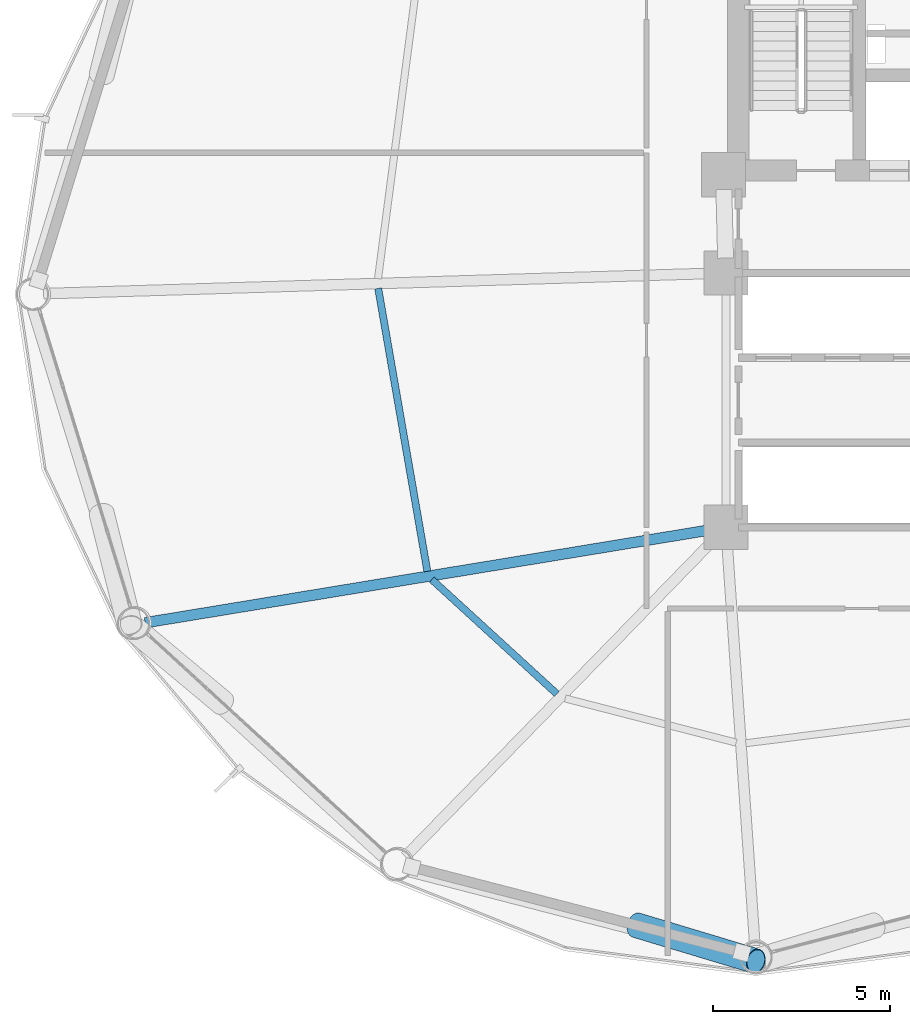
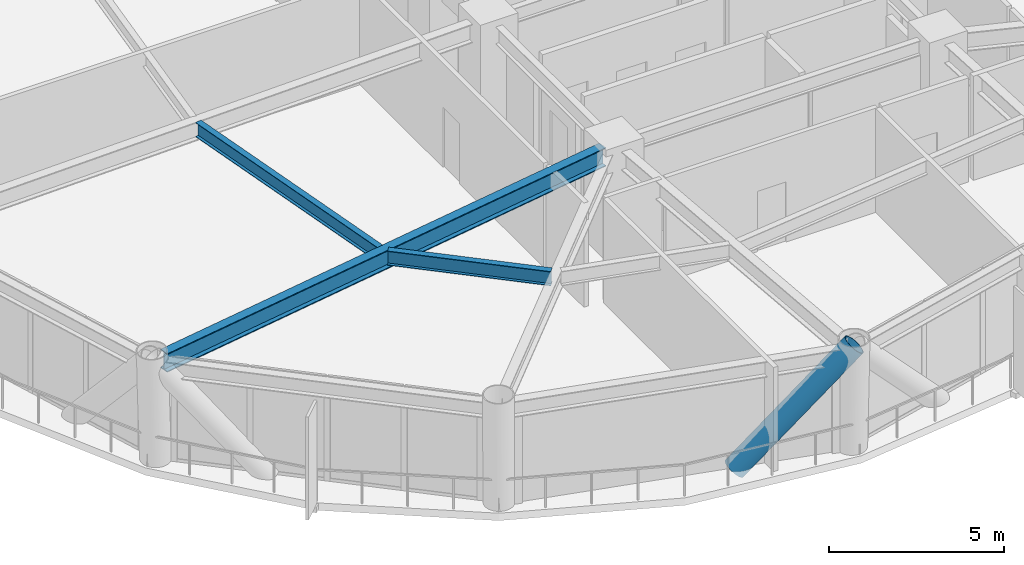
# One storey, part 6 of 25: 3 beams, 1 member.
"""IFC4 building model written with IfcOpenShell, lengths in metres."""

from ifc_helpers import new_model, si_unit, direction, frame, origin, origin_2d, place, context, subcontext, project, spatial, hollow_circle, i_section, extrude, material, material_profile, profile_set, type_object, element, save


model = new_model("IFC4")

# Units and contexts
model_context = context("Model", 3, precision=1e-05, world=origin(), true_north=direction((0.0, 1.0)))
body_context = subcontext(model_context, "Body", "Model", "MODEL_VIEW")
ifc_project = project(units=[si_unit("LENGTHUNIT", "METRE"), si_unit("AREAUNIT", "SQUARE_METRE"), si_unit("VOLUMEUNIT", "CUBIC_METRE"), si_unit("PLANEANGLEUNIT", "RADIAN"), si_unit("MASSUNIT", "GRAM", prefix="KILO")], contexts=[model_context])

# Site, building, storey
site_placement = place(None, origin())
site = spatial("IfcSite", under=ifc_project, at=site_placement, CompositionType="ELEMENT")
building_placement = place(site_placement, origin())
building = spatial("IfcBuilding", under=site, at=building_placement, Name="Varnakorn Sky Granary", CompositionType="ELEMENT")
storey_placement = place(building_placement, frame((0.0, 0.0, 35.39990234375)))
storey = spatial("IfcBuildingStorey", under=building, at=storey_placement, Name="L08", CompositionType="ELEMENT", Elevation=35.39990234375)

# Beams
ifc_material_1 = material(Name="Steel S355JR", Category="steel")
ifc_material_profile_1 = material_profile(ifc_material_1, i_section(OverallWidth=0.300048828125, OverallDepth=0.64990234375, WebThickness=0.01611328125, FlangeThickness=0.031005859375, at=origin_2d()), Name="HE 650 B")
ifc_profile_set_1 = profile_set([ifc_material_profile_1], Name="Steel S355JR")
beam_type_1 = type_object("IfcBeamType", Name="BM-RAD-Z1", PredefinedType="BEAM", material=ifc_profile_set_1)
beam_1_placement = place(storey_placement, frame((-2.764404296875, -6.668212890625, 3.315185546875), z_axis=(-0.986763507705, -0.162165902279, 0.0), x_axis=(0.162165902279, -0.986763507705, 0.0)))
element("IfcBeam", 1, at=beam_1_placement, inside=storey, type_object=beam_type_1, Name="Radial Floor Girder RG08 L08", PredefinedType="BEAM", context=body_context, shape_type="SweptSolid", body=[
    extrude(i_section(OverallWidth=0.300048828125, OverallDepth=0.64990234375, WebThickness=0.01611328125, FlangeThickness=0.031005859375, at=origin_2d()), origin(), (0.0, 0.0, 1.0), 16.242919921875),
])
ifc_material_profile_2 = material_profile(ifc_material_1, i_section(OverallWidth=0.199951171875, OverallDepth=0.5, WebThickness=0.01025390625, FlangeThickness=0.01611328125, at=origin_2d()), Name="IPE 500")
ifc_profile_set_2 = profile_set([ifc_material_profile_2], Name="Steel S355JR")
beam_type_2 = type_object("IfcBeamType", Name="BM-SEC-Z1", PredefinedType="BEAM", material=ifc_profile_set_2)
beam_2_placement = place(storey_placement, frame((-12.193115234375, 0.162353515625, 3.39013671875), z_axis=(0.171086429265, -0.985256024453, 0.0), x_axis=(0.985256024453, 0.171086429265, 0.0)))
element("IfcBeam", 2, at=beam_2_placement, inside=storey, type_object=beam_type_2, Name="Secondary Floor Chord Beam MSB07 L08", PredefinedType="BEAM", context=body_context, shape_type="SweptSolid", body=[
    extrude(i_section(OverallWidth=0.199951171875, OverallDepth=0.5, WebThickness=0.01025390625, FlangeThickness=0.01611328125, at=origin_2d()), origin(), (0.0, 0.0, 1.0), 8.129638671875),
])
beam_3_placement = place(storey_placement, frame((-10.675048828125, -8.07958984375, 3.39013671875), z_axis=(0.737781667323, -0.675039414673, 0.0), x_axis=(0.675039414673, 0.737781667323, 0.0)))
element("IfcBeam", 3, at=beam_3_placement, inside=storey, type_object=beam_type_2, Name="Secondary Floor Chord Beam MSB08 L08", PredefinedType="BEAM", context=body_context, shape_type="SweptSolid", body=[
    extrude(i_section(OverallWidth=0.199951171875, OverallDepth=0.5, WebThickness=0.01025390625, FlangeThickness=0.01611328125, at=origin_2d()), origin(), (0.0, 0.0, 1.0), 4.7939453125),
])

# Member
ifc_material_2 = material(Name="Steel S460M", Category="steel")
ifc_material_profile_3 = material_profile(ifc_material_2, hollow_circle(Radius=0.35546875, WallThickness=0.02490234375, at=origin_2d()), Name="CHS 711x25")
ifc_profile_set_3 = profile_set([ifc_material_profile_3], Name="Steel S460M")
member_type = type_object("IfcMemberType", Name="MB-DIAG-T0", PredefinedType="BRACE", material=ifc_profile_set_3)
member_placement = place(storey_placement, frame((-4.881591796875, -17.864990234375, -0.1298828125), z_axis=(0.654621502731, -0.197081197487, 0.729814832515), x_axis=(0.288280078914, 0.957546132623, 0.0)))
element("IfcMember", 4, at=member_placement, inside=storey, type_object=member_type, Name="Perimeter CHS Diagrid Brace DG09 L08", PredefinedType="BRACE", context=body_context, shape_type="SweptSolid", body=[
    extrude(hollow_circle(Radius=0.35546875, WallThickness=0.02490234375, at=origin_2d()), origin(), (0.0, 0.0, 1.0), 5.165771484375),
])

save(model, "model.ifc")
